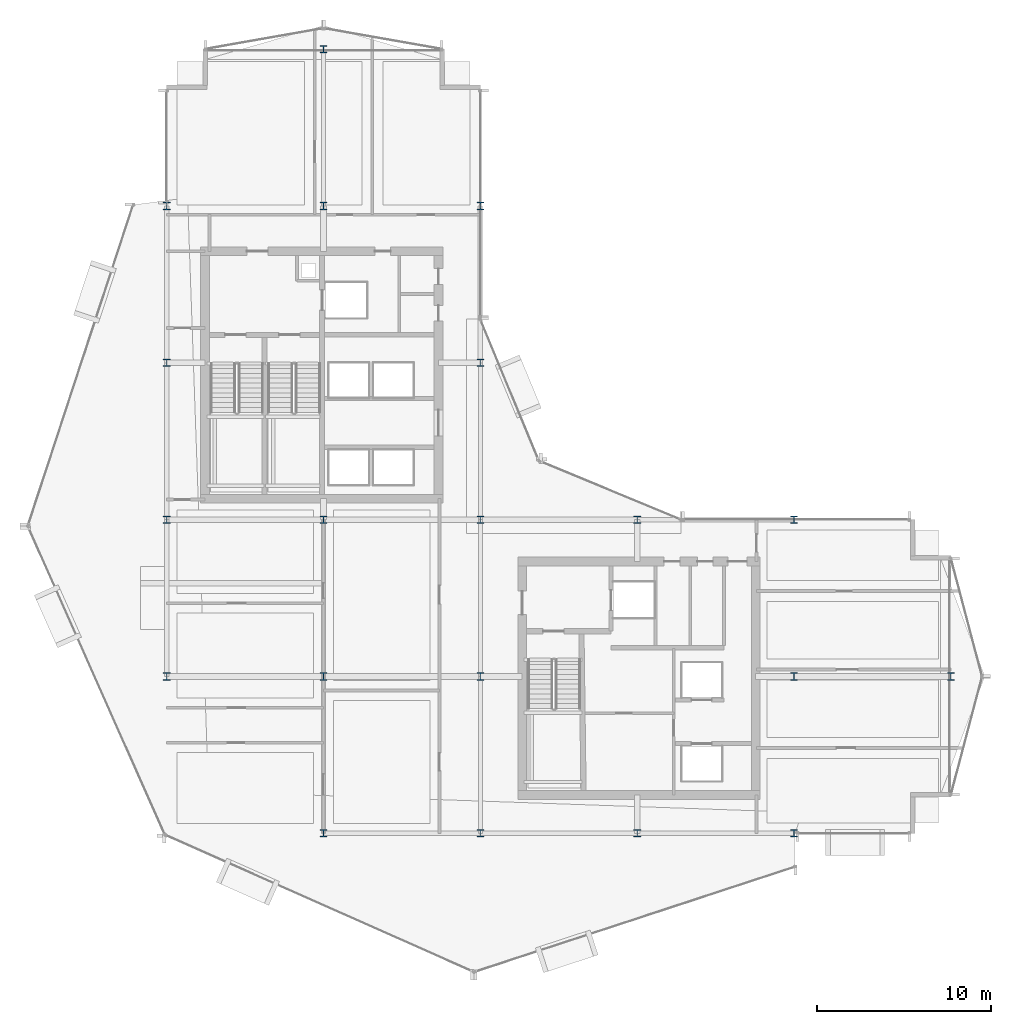
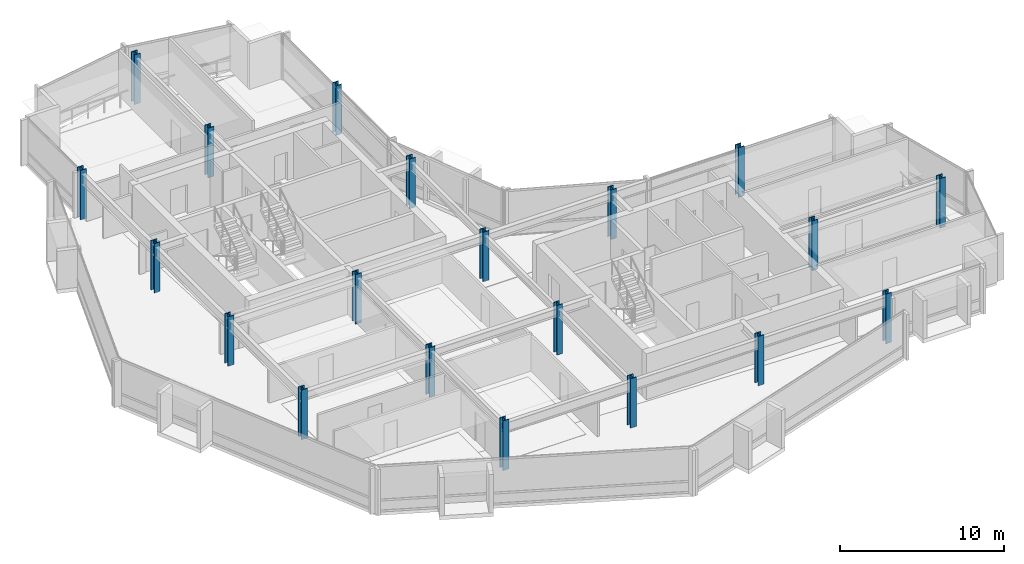
# One storey, part 1 of 29: 20 columns.
"""IFC4 building model written with IfcOpenShell, lengths in metres."""

from ifc_helpers import new_model, si_unit, direction, frame, origin, origin_2d, place, context, subcontext, project, spatial, i_section, extrude, material, material_profile, profile_set, type_object, element, save


model = new_model("IFC4")

# Units and contexts
model_context = context("Model", 3, precision=1e-05, world=origin(), true_north=direction((0.0, 1.0)))
body_context = subcontext(model_context, "Body", "Model", "MODEL_VIEW")
ifc_project = project(units=[si_unit("LENGTHUNIT", "METRE"), si_unit("AREAUNIT", "SQUARE_METRE"), si_unit("VOLUMEUNIT", "CUBIC_METRE"), si_unit("PLANEANGLEUNIT", "RADIAN"), si_unit("MASSUNIT", "GRAM", prefix="KILO")], contexts=[model_context])

# Site, building, storey
site_placement = place(None, origin())
site = spatial("IfcSite", under=ifc_project, at=site_placement, CompositionType="ELEMENT")
building_placement = place(site_placement, origin())
building = spatial("IfcBuilding", under=site, at=building_placement, Name="Solvaryn Broadcast Tower", CompositionType="ELEMENT")
storey_placement = place(building_placement, frame((0.0, 0.0, 143.300048828125)))
storey = spatial("IfcBuildingStorey", under=building, at=storey_placement, Name="L35", CompositionType="ELEMENT", Elevation=143.300048828125)

# Columns
ifc_material_1 = material(Name="Steel ASTM A913 Grade 65", Category="steel")
ifc_material_profile_1 = material_profile(ifc_material_1, i_section(OverallWidth=0.412109375, OverallDepth=0.43505859375, WebThickness=0.035888671875, FlangeThickness=0.057373046875, FilletRadius=0.014892578125, at=origin_2d()))
ifc_profile_set_1 = profile_set([ifc_material_profile_1], Name="Steel ASTM A913 Grade 65")
column_type_1 = type_object("IfcColumnType", Name="COL-C06E-W14X311", PredefinedType="COLUMN", material=ifc_profile_set_1)
for number, where, z_axis, x_axis, name in (
    (1, (9.0, 18.0, 0.0), (0.0, 0.0, 1.0), (1.0, 0.0, 0.0), "L35 Column (9.0, 18.0)"),
    (2, (9.0, 27.0, 0.0), (0.0, 0.0, 1.0), (1.0, 0.0, 0.0), "L35 Column (9.0, 27.0)"),
    (3, (9.0, 36.0, 0.0), (0.0, 0.0, 1.0), (1.0, 0.0, 0.0), "L35 Column (9.0, 36.0)"),
    (4, (9.0, 45.0, 0.0), (0.0, 0.0, 1.0), (1.0, 0.0, 0.0), "L35 Column (9.0, 45.0)"),
    (5, (18.0, 9.0, 0.0), (0.0, 0.0, 1.0), (1.0, 0.0, 0.0), "L35 Column (18.0, 9.0)"),
    (6, (18.0, 54.0, 0.0), (0.0, 0.0, 1.0), (1.0, 0.0, 0.0), "L35 Column (18.0, 54.0)"),
    (7, (27.0, 9.0, 0.0), (0.0, 0.0, 1.0), (1.0, 0.0, 0.0), "L35 Column (27.0, 9.0)"),
    (8, (27.0, 36.0, 0.0), (0.0, 0.0, 1.0), (1.0, 0.0, 0.0), "L35 Column (27.0, 36.0)"),
    (9, (27.0, 45.0, 0.0), (0.0, 0.0, 1.0), (1.0, 0.0, 0.0), "L35 Column (27.0, 45.0)"),
    (10, (36.0, 9.0, 0.0), (0.0, 0.0, 1.0), (1.0, 0.0, 0.0), "L35 Column (36.0, 9.0)"),
    (11, (36.0, 27.0, 0.0), (0.0, 0.0, 1.0), (1.0, 0.0, 0.0), "L35 Column (36.0, 27.0)"),
    (12, (45.0, 9.0, 0.0), (0.0, 0.0, 1.0), (1.0, 0.0, 0.0), "L35 Column (45.0, 9.0)"),
    (13, (45.0, 27.0, 0.0), (0.0, 0.0, 1.0), (1.0, 0.0, 0.0), "L35 Column (45.0, 27.0)"),
    (14, (54.0, 18.0, 0.0), (0.0, 0.0, 1.0), (1.0, 0.0, 0.0), "L35 Column (54.0, 18.0)"),
):
    element("IfcColumn", number, at=place(storey_placement, frame(where, z_axis=z_axis, x_axis=x_axis)), inside=storey, type_object=column_type_1, Name=name, PredefinedType="COLUMN", context=body_context, shape_type="SweptSolid", body=[
        extrude(i_section(OverallWidth=0.412109375, OverallDepth=0.43505859375, WebThickness=0.035888671875, FlangeThickness=0.057373046875, FilletRadius=0.014892578125, at=origin_2d()), origin(), (0.0, 0.0, 1.0), 3.699951171875),
    ])
ifc_material_2 = material(Name="Steel ASTM A913 Grade 65", Category="steel")
ifc_material_profile_2 = material_profile(ifc_material_2, i_section(OverallWidth=0.412109375, OverallDepth=0.43505859375, WebThickness=0.035888671875, FlangeThickness=0.057373046875, FilletRadius=0.014892578125, at=origin_2d()))
ifc_profile_set_2 = profile_set([ifc_material_profile_2], Name="Steel ASTM A913 Grade 65")
column_type_2 = type_object("IfcColumnType", Name="COL-C06I-W14X311", PredefinedType="COLUMN", material=ifc_profile_set_2)
for number, where, z_axis, x_axis, name in (
    (15, (18.0, 18.0, 0.0), (0.0, 0.0, 1.0), (1.0, 0.0, 0.0), "L35 Column (18.0, 18.0)"),
    (16, (18.0, 27.0, 0.0), (0.0, 0.0, 1.0), (1.0, 0.0, 0.0), "L35 Column (18.0, 27.0)"),
    (17, (18.0, 45.0, 0.0), (0.0, 0.0, 1.0), (1.0, 0.0, 0.0), "L35 Column (18.0, 45.0)"),
    (18, (27.0, 18.0, 0.0), (0.0, 0.0, 1.0), (1.0, 0.0, 0.0), "L35 Column (27.0, 18.0)"),
    (19, (27.0, 27.0, 0.0), (0.0, 0.0, 1.0), (1.0, 0.0, 0.0), "L35 Column (27.0, 27.0)"),
    (20, (45.0, 18.0, 0.0), (0.0, 0.0, 1.0), (1.0, 0.0, 0.0), "L35 Column (45.0, 18.0)"),
):
    element("IfcColumn", number, at=place(storey_placement, frame(where, z_axis=z_axis, x_axis=x_axis)), inside=storey, type_object=column_type_2, Name=name, PredefinedType="COLUMN", context=body_context, shape_type="SweptSolid", body=[
        extrude(i_section(OverallWidth=0.412109375, OverallDepth=0.43505859375, WebThickness=0.035888671875, FlangeThickness=0.057373046875, FilletRadius=0.014892578125, at=origin_2d()), origin(), (0.0, 0.0, 1.0), 3.699951171875),
    ])

save(model, "model.ifc")
